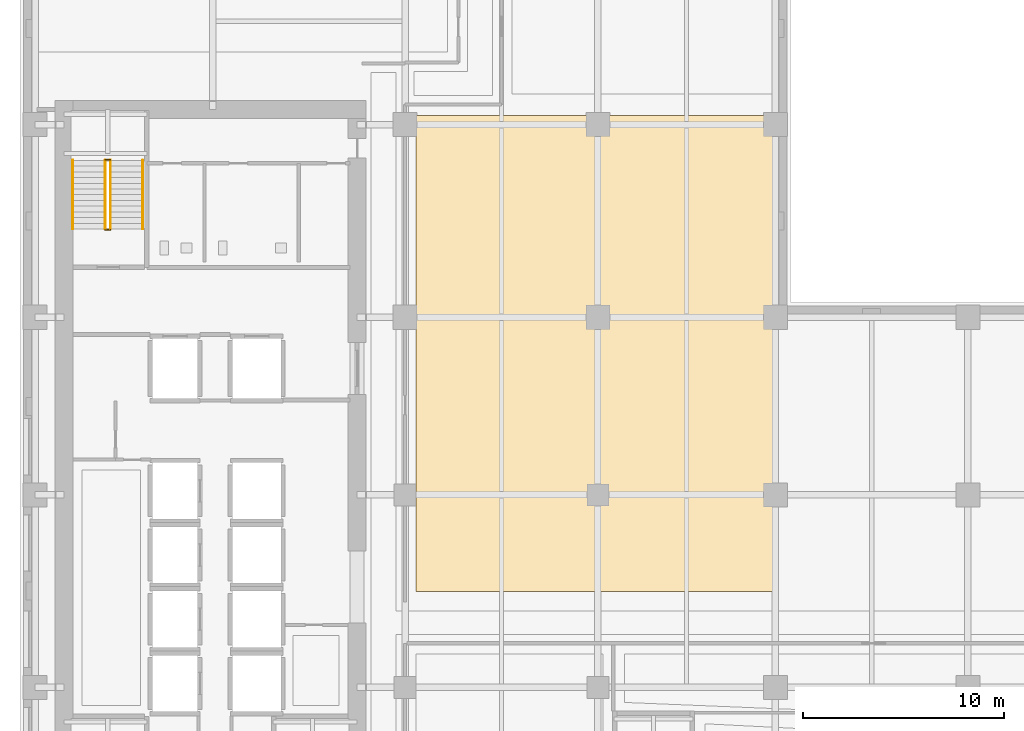
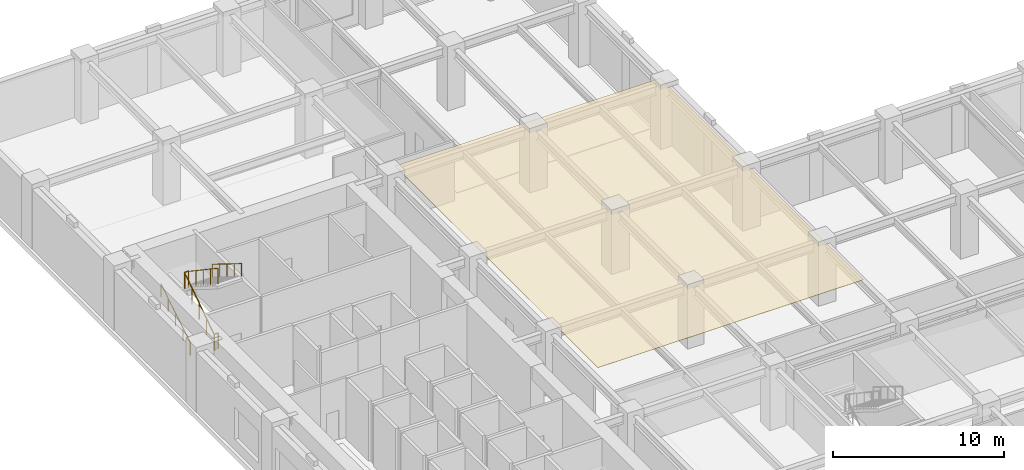
# One storey, part 20 of 24: 6 railings, 1 covering.
"""IFC4 building model written with IfcOpenShell, lengths in metres."""

from ifc_helpers import new_model, si_unit, direction, frame, origin, origin_2d, place, context, subcontext, project, spatial, polyline, circle, outline, extrude, material, layer, layer_set, type_object, element, save


model = new_model("IFC4")

# Units and contexts
model_context = context("Model", 3, precision=1e-05, world=origin(), true_north=direction((0.0, 1.0)))
body_context = subcontext(model_context, "Body", "Model", "MODEL_VIEW")
ifc_project = project(units=[si_unit("LENGTHUNIT", "METRE"), si_unit("AREAUNIT", "SQUARE_METRE"), si_unit("VOLUMEUNIT", "CUBIC_METRE"), si_unit("PLANEANGLEUNIT", "RADIAN"), si_unit("MASSUNIT", "GRAM", prefix="KILO")], contexts=[model_context])

# Site, building, storey
site_placement = place(None, origin())
site = spatial("IfcSite", under=ifc_project, at=site_placement, CompositionType="ELEMENT")
building_placement = place(site_placement, origin())
building = spatial("IfcBuilding", under=site, at=building_placement, Name="Norrvale University Quadrangle", CompositionType="ELEMENT")
storey_placement = place(building_placement, frame((0.0, 0.0, 10.39990234375)))
storey = spatial("IfcBuildingStorey", under=building, at=storey_placement, Name="L02", CompositionType="ELEMENT", Elevation=10.39990234375)

# Covering
ifc_material_1 = material(Name="Perforated Acoustic Mineral Ceiling")
ifc_layer = layer(ifc_material_1, 0.02490234375, Name="Perforated Acoustic Mineral Ceiling")
ifc_layer_set = layer_set([ifc_layer], Name="Perforated Acoustic Mineral Ceiling")
covering_type = type_object("IfcCoveringType", Name="Covering Acoustic Ceiling 25", PredefinedType="CEILING", material=ifc_layer_set)
covering_placement = place(storey_placement, frame((0.0, 0.0, 4.235107421875)))
element("IfcCovering", 1, at=covering_placement, inside=storey, type_object=covering_type, Name="Acoustic Ceiling RM-L02-MNE01", PredefinedType="CEILING", context=body_context, shape_type="SweptSolid", body=[
    extrude(outline(polyline([(19.72998046875, 47.719970703125), (37.64990234375, 47.719970703125), (37.64990234375, 23.97998046875), (19.72998046875, 23.97998046875), (19.72998046875, 47.719970703125)])), origin(), (0.0, 0.0, 1.0), 0.02490234375),
])

# Railings
ifc_material_2 = material(Name="Steel 350W Painted Balustrade", Category="steel")
railing_type_1 = type_object("IfcRailingType", Name="Railing Stair Guard 1100", PredefinedType="GUARDRAIL", material=ifc_material_2)
for number, where, name in (
    (2, (4.239990234375, 42.02001953125, 0.0), "Stair Floor Well Guard ST-02 L02"),
    (3, (4.239990234375, 45.5, 2.300048828125), "Stair Mid-Landing Slot Guard ST-02 L02"),
):
    element("IfcRailing", number, at=place(storey_placement, frame(where)), inside=storey, type_object=railing_type_1, Name=name, PredefinedType="GUARDRAIL", context=body_context, shape_type="SweptSolid", body=[
        extrude(circle(Radius=0.02392578125, at=origin_2d()), frame((0.0, 0.0, 1.1259765625), z_axis=(1.0, 0.0, 0.0), x_axis=(0.0, 1.0, 0.0)), (0.0, 0.0, 1.0), 0.27001953125),
        extrude(circle(Radius=0.02099609375, at=origin_2d()), origin(), (0.0, 0.0, 1.0), 1.101806640625),
        extrude(circle(Radius=0.02099609375, at=origin_2d()), frame((0.27001953125, 0.0, 0.0)), (0.0, 0.0, 1.0), 1.101806640625),
    ])
railing_1_placement = place(storey_placement, frame((4.239990234375, 42.050048828125, 0.0)))
element("IfcRailing", 4, at=railing_1_placement, inside=storey, type_object=railing_type_1, Name="Stair Lower Flight Inner Guard ST-02 L02", PredefinedType="GUARDRAIL", context=body_context, shape_type="SweptSolid", body=[
    extrude(circle(Radius=0.02392578125, at=origin_2d()), frame((0.0, 0.0, 1.1259765625), z_axis=(0.0, 0.8297924358, 0.55807214004), x_axis=(-1.0, 0.0, 0.0)), (0.0, 0.0, 1.0), 4.121337890625),
    extrude(circle(Radius=0.02099609375, at=origin_2d()), origin(), (0.0, 0.0, 1.0), 1.101806640625),
    extrude(circle(Radius=0.02099609375, at=origin_2d()), frame((0.0, 0.85498046875, 0.574951171875)), (0.0, 0.0, 1.0), 1.101806640625),
    extrude(circle(Radius=0.02099609375, at=origin_2d()), frame((0.0, 1.7099609375, 1.14990234375)), (0.0, 0.0, 1.0), 1.101806640625),
    extrude(circle(Radius=0.02099609375, at=origin_2d()), frame((0.0, 2.56494140625, 1.72509765625)), (0.0, 0.0, 1.0), 1.101806640625),
    extrude(circle(Radius=0.02099609375, at=origin_2d()), frame((0.0, 3.419921875, 2.300048828125)), (0.0, 0.0, 1.0), 1.101806640625),
])
railing_2_placement = place(storey_placement, frame((4.510009765625, 45.469970703125, 2.300048828125)))
element("IfcRailing", 5, at=railing_2_placement, inside=storey, type_object=railing_type_1, Name="Stair Upper Flight Inner Guard ST-02 L02", PredefinedType="GUARDRAIL", context=body_context, shape_type="SweptSolid", body=[
    extrude(circle(Radius=0.02392578125, at=origin_2d()), frame((0.0, 0.0, 1.1259765625), z_axis=(0.0, -0.8297924358, 0.55807214004), x_axis=(1.0, 0.0, 0.0)), (0.0, 0.0, 1.0), 4.121337890625),
    extrude(circle(Radius=0.02099609375, at=origin_2d()), origin(), (0.0, 0.0, 1.0), 1.101806640625),
    extrude(circle(Radius=0.02099609375, at=origin_2d()), frame((0.0, -0.85498046875, 0.574951171875)), (0.0, 0.0, 1.0), 1.101806640625),
    extrude(circle(Radius=0.02099609375, at=origin_2d()), frame((0.0, -1.7099609375, 1.14990234375)), (0.0, 0.0, 1.0), 1.101806640625),
    extrude(circle(Radius=0.02099609375, at=origin_2d()), frame((0.0, -2.56494140625, 1.72509765625)), (0.0, 0.0, 1.0), 1.101806640625),
    extrude(circle(Radius=0.02099609375, at=origin_2d()), frame((0.0, -3.419921875, 2.300048828125)), (0.0, 0.0, 1.0), 1.101806640625),
])
ifc_material_3 = material(Name="Stainless Steel 316L Handrail", Category="steel")
railing_type_2 = type_object("IfcRailingType", Name="Railing Stair Handrail 920", PredefinedType="HANDRAIL", material=ifc_material_3)
railing_3_placement = place(storey_placement, frame((2.639892578125, 42.050048828125, 0.177001953125)))
element("IfcRailing", 6, at=railing_3_placement, inside=storey, type_object=railing_type_2, Name="Stair Lower Flight Handrail ST-02 L02", PredefinedType="HANDRAIL", context=body_context, shape_type="SweptSolid", body=[
    extrude(circle(Radius=0.02392578125, at=origin_2d()), frame((0.0, 0.0, 0.89599609375), z_axis=(0.0, 0.849602680019, 0.527423251388), x_axis=(-1.0, 0.0, 0.0)), (0.0, 0.0, 1.0), 4.025390625),
    extrude(circle(Radius=0.02099609375, at=origin_2d()), origin(), (0.0, 0.0, 1.0), 0.871826171875),
    extrude(circle(Radius=0.02099609375, at=origin_2d()), frame((0.0, 0.85498046875, 0.53076171875)), (0.0, 0.0, 1.0), 0.871826171875),
    extrude(circle(Radius=0.02099609375, at=origin_2d()), frame((0.0, 1.7099609375, 1.0615234375)), (0.0, 0.0, 1.0), 0.871826171875),
    extrude(circle(Radius=0.02099609375, at=origin_2d()), frame((0.0, 2.56494140625, 1.59228515625)), (0.0, 0.0, 1.0), 0.871826171875),
    extrude(circle(Radius=0.02099609375, at=origin_2d()), frame((0.0, 3.419921875, 2.123046875)), (0.0, 0.0, 1.0), 0.871826171875),
])
railing_4_placement = place(storey_placement, frame((6.110107421875, 45.469970703125, 2.47705078125)))
element("IfcRailing", 7, at=railing_4_placement, inside=storey, type_object=railing_type_2, Name="Stair Upper Flight Handrail ST-02 L02", PredefinedType="HANDRAIL", context=body_context, shape_type="SweptSolid", body=[
    extrude(circle(Radius=0.02392578125, at=origin_2d()), frame((0.0, 0.0, 0.89599609375), z_axis=(0.0, -0.849602680019, 0.527423251388), x_axis=(1.0, 0.0, 0.0)), (0.0, 0.0, 1.0), 4.025390625),
    extrude(circle(Radius=0.02099609375, at=origin_2d()), origin(), (0.0, 0.0, 1.0), 0.871826171875),
    extrude(circle(Radius=0.02099609375, at=origin_2d()), frame((0.0, -0.85498046875, 0.53076171875)), (0.0, 0.0, 1.0), 0.871826171875),
    extrude(circle(Radius=0.02099609375, at=origin_2d()), frame((0.0, -1.7099609375, 1.0615234375)), (0.0, 0.0, 1.0), 0.871826171875),
    extrude(circle(Radius=0.02099609375, at=origin_2d()), frame((0.0, -2.56494140625, 1.59228515625)), (0.0, 0.0, 1.0), 0.871826171875),
    extrude(circle(Radius=0.02099609375, at=origin_2d()), frame((0.0, -3.419921875, 2.123046875)), (0.0, 0.0, 1.0), 0.871826171875),
])

save(model, "model.ifc")
